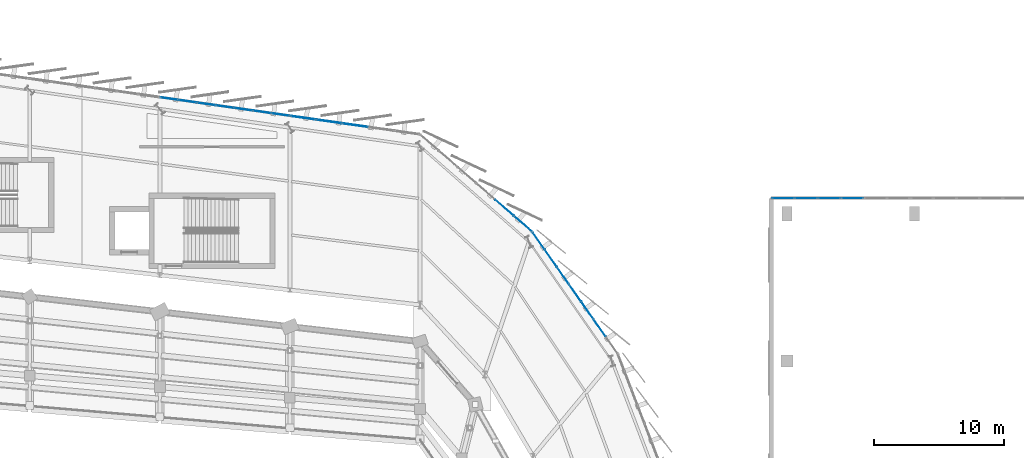
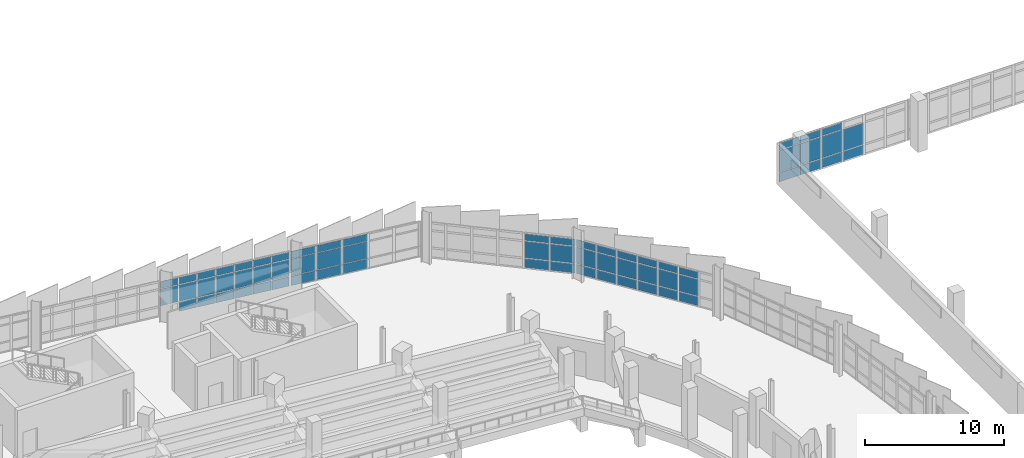
# One storey, part 92 of 120: 64 plates, 5 elements without a shape of their own.
"""IFC4 building model written with IfcOpenShell, lengths in metres."""

from ifc_helpers import new_model, si_unit, direction, frame, origin, origin_2d, place, context, subcontext, project, spatial, rectangle, extrude, material, layer, layer_set, type_object, element, aggregate, save


model = new_model("IFC4")

# Units and contexts
model_context = context("Model", 3, precision=1e-05, world=origin(), true_north=direction((0.0, 1.0)))
body_context = subcontext(model_context, "Body", "Model", "MODEL_VIEW")
ifc_project = project(units=[si_unit("LENGTHUNIT", "METRE"), si_unit("AREAUNIT", "SQUARE_METRE"), si_unit("VOLUMEUNIT", "CUBIC_METRE"), si_unit("PLANEANGLEUNIT", "RADIAN"), si_unit("MASSUNIT", "GRAM", prefix="KILO")], contexts=[model_context])

# Site, building, storey
site_placement = place(None, origin())
site = spatial("IfcSite", under=ifc_project, at=site_placement, CompositionType="ELEMENT")
building_placement = place(site_placement, origin())
building = spatial("IfcBuilding", under=site, at=building_placement, Name="Sohan Crest Arena", CompositionType="ELEMENT")
storey_placement = place(building_placement, frame((0.0, 0.0, 13.5)))
storey = spatial("IfcBuildingStorey", under=building, at=storey_placement, Name="L03", CompositionType="ELEMENT", Elevation=13.5)

# Curtain wall, plates
ifc_material_1 = material(Name="Thermally broken anodised aluminium", Category="aluminium")
ifc_layer_1 = layer(ifc_material_1, 0.18994140625, Name="Thermally broken anodised aluminium")
ifc_layer_set_1 = layer_set([ifc_layer_1], Name="Thermally broken anodised aluminium")
curtain_wall_type_1 = type_object("IfcCurtainWallType", Name="ARC-CW05", PredefinedType="NOTDEFINED", material=ifc_layer_set_1)
curtain_wall_1_placement = place(storey_placement, origin())
curtain_wall_1 = element("IfcCurtainWall", 1, at=curtain_wall_1_placement, inside=storey, type_object=curtain_wall_type_1, Name="Unitised curtain wall CW-106", PredefinedType="NOTDEFINED")
ifc_material_2 = material(Name="Low-E double-glazed insulated glass", Category="glass")
ifc_layer_2 = layer(ifc_material_2, 0.028076171875, Name="Low-E double-glazed insulated glass")
ifc_layer_set_2 = layer_set([ifc_layer_2], Name="Low-E double-glazed insulated glass")
plate_type_1 = type_object("IfcPlateType", Name="ARC-CNP01", PredefinedType="CURTAIN_PANEL", material=ifc_layer_set_2)
plate_1_placement = place(storey_placement, frame((157.270751953125, 118.43310546875, 0.06494140625), z_axis=(0.0, 0.0, 1.0), x_axis=(-0.989957411768, 0.141365918403, 0.0)))
plate_1 = element("IfcPlate", 2, at=plate_1_placement, type_object=plate_type_1, Name="CW-106 panel 1.1", PredefinedType="CURTAIN_PANEL", context=body_context, shape_type="SweptSolid", body=[
    extrude(rectangle(XDim=1.35302734375, YDim=0.028076171875, at=origin_2d()), origin(), (0.0, 0.0, 1.0), 0.802490234375),
])
plate_2_placement = place(storey_placement, frame((157.270751953125, 118.43310546875, 0.932373046875), z_axis=(0.0, 0.0, 1.0), x_axis=(-0.989957411768, 0.141365918403, 0.0)))
plate_2 = element("IfcPlate", 3, at=plate_2_placement, type_object=plate_type_1, Name="CW-106 panel 1.2", PredefinedType="CURTAIN_PANEL", context=body_context, shape_type="SweptSolid", body=[
    extrude(rectangle(XDim=1.35302734375, YDim=0.028076171875, at=origin_2d()), origin(), (0.0, 0.0, 1.0), 1.455078125),
])
plate_3_placement = place(storey_placement, frame((157.270751953125, 118.43310546875, 2.452392578125), z_axis=(0.0, 0.0, 1.0), x_axis=(-0.989957411768, 0.141365918403, 0.0)))
plate_3 = element("IfcPlate", 4, at=plate_3_placement, type_object=plate_type_1, Name="CW-106 panel 1.3", PredefinedType="CURTAIN_PANEL", context=body_context, shape_type="SweptSolid", body=[
    extrude(rectangle(XDim=1.35302734375, YDim=0.028076171875, at=origin_2d()), origin(), (0.0, 0.0, 1.0), 0.6025390625),
])
plate_4_placement = place(storey_placement, frame((155.857177734375, 118.635009765625, 0.06494140625), z_axis=(0.0, 0.0, 1.0), x_axis=(-0.989957411768, 0.141365918403, 0.0)))
plate_4 = element("IfcPlate", 5, at=plate_4_placement, type_object=plate_type_1, Name="CW-106 panel 2.1", PredefinedType="CURTAIN_PANEL", context=body_context, shape_type="SweptSolid", body=[
    extrude(rectangle(XDim=1.383056640625, YDim=0.028076171875, at=origin_2d()), origin(), (0.0, 0.0, 1.0), 0.802490234375),
])
plate_5_placement = place(storey_placement, frame((155.857177734375, 118.635009765625, 0.932373046875), z_axis=(0.0, 0.0, 1.0), x_axis=(-0.989957411768, 0.141365918403, 0.0)))
plate_5 = element("IfcPlate", 6, at=plate_5_placement, type_object=plate_type_1, Name="CW-106 panel 2.2", PredefinedType="CURTAIN_PANEL", context=body_context, shape_type="SweptSolid", body=[
    extrude(rectangle(XDim=1.383056640625, YDim=0.028076171875, at=origin_2d()), origin(), (0.0, 0.0, 1.0), 1.455078125),
])
plate_6_placement = place(storey_placement, frame((155.857177734375, 118.635009765625, 2.452392578125), z_axis=(0.0, 0.0, 1.0), x_axis=(-0.989957411768, 0.141365918403, 0.0)))
plate_6 = element("IfcPlate", 7, at=plate_6_placement, type_object=plate_type_1, Name="CW-106 panel 2.3", PredefinedType="CURTAIN_PANEL", context=body_context, shape_type="SweptSolid", body=[
    extrude(rectangle(XDim=1.383056640625, YDim=0.028076171875, at=origin_2d()), origin(), (0.0, 0.0, 1.0), 0.6025390625),
])
plate_7_placement = place(storey_placement, frame((154.428466796875, 118.839111328125, 0.06494140625), z_axis=(0.0, 0.0, 1.0), x_axis=(-0.989957411768, 0.141365918403, 0.0)))
plate_7 = element("IfcPlate", 8, at=plate_7_placement, type_object=plate_type_1, Name="CW-106 panel 3.1", PredefinedType="CURTAIN_PANEL", context=body_context, shape_type="SweptSolid", body=[
    extrude(rectangle(XDim=1.383056640625, YDim=0.028076171875, at=origin_2d()), origin(), (0.0, 0.0, 1.0), 0.802490234375),
])
plate_8_placement = place(storey_placement, frame((154.428466796875, 118.839111328125, 0.932373046875), z_axis=(0.0, 0.0, 1.0), x_axis=(-0.989957411768, 0.141365918403, 0.0)))
plate_8 = element("IfcPlate", 9, at=plate_8_placement, type_object=plate_type_1, Name="CW-106 panel 3.2", PredefinedType="CURTAIN_PANEL", context=body_context, shape_type="SweptSolid", body=[
    extrude(rectangle(XDim=1.383056640625, YDim=0.028076171875, at=origin_2d()), origin(), (0.0, 0.0, 1.0), 1.455078125),
])
plate_9_placement = place(storey_placement, frame((154.428466796875, 118.839111328125, 2.452392578125), z_axis=(0.0, 0.0, 1.0), x_axis=(-0.989957411768, 0.141365918403, 0.0)))
plate_9 = element("IfcPlate", 10, at=plate_9_placement, type_object=plate_type_1, Name="CW-106 panel 3.3", PredefinedType="CURTAIN_PANEL", context=body_context, shape_type="SweptSolid", body=[
    extrude(rectangle(XDim=1.383056640625, YDim=0.028076171875, at=origin_2d()), origin(), (0.0, 0.0, 1.0), 0.6025390625),
])
plate_10_placement = place(storey_placement, frame((153.0, 119.04296875, 0.06494140625), z_axis=(0.0, 0.0, 1.0), x_axis=(-0.989957411768, 0.141365918403, 0.0)))
plate_10 = element("IfcPlate", 11, at=plate_10_placement, type_object=plate_type_1, Name="CW-106 panel 4.1", PredefinedType="CURTAIN_PANEL", context=body_context, shape_type="SweptSolid", body=[
    extrude(rectangle(XDim=1.383056640625, YDim=0.028076171875, at=origin_2d()), origin(), (0.0, 0.0, 1.0), 0.802490234375),
])
plate_11_placement = place(storey_placement, frame((153.0, 119.04296875, 0.932373046875), z_axis=(0.0, 0.0, 1.0), x_axis=(-0.989957411768, 0.141365918403, 0.0)))
plate_11 = element("IfcPlate", 12, at=plate_11_placement, type_object=plate_type_1, Name="CW-106 panel 4.2", PredefinedType="CURTAIN_PANEL", context=body_context, shape_type="SweptSolid", body=[
    extrude(rectangle(XDim=1.383056640625, YDim=0.028076171875, at=origin_2d()), origin(), (0.0, 0.0, 1.0), 1.455078125),
])
plate_12_placement = place(storey_placement, frame((153.0, 119.04296875, 2.452392578125), z_axis=(0.0, 0.0, 1.0), x_axis=(-0.989957411768, 0.141365918403, 0.0)))
plate_12 = element("IfcPlate", 13, at=plate_12_placement, type_object=plate_type_1, Name="CW-106 panel 4.3", PredefinedType="CURTAIN_PANEL", context=body_context, shape_type="SweptSolid", body=[
    extrude(rectangle(XDim=1.383056640625, YDim=0.028076171875, at=origin_2d()), origin(), (0.0, 0.0, 1.0), 0.6025390625),
])
plate_13_placement = place(storey_placement, frame((151.571533203125, 119.2470703125, 0.06494140625), z_axis=(0.0, 0.0, 1.0), x_axis=(-0.989957411768, 0.141365918403, 0.0)))
plate_13 = element("IfcPlate", 14, at=plate_13_placement, type_object=plate_type_1, Name="CW-106 panel 5.1", PredefinedType="CURTAIN_PANEL", context=body_context, shape_type="SweptSolid", body=[
    extrude(rectangle(XDim=1.383056640625, YDim=0.028076171875, at=origin_2d()), origin(), (0.0, 0.0, 1.0), 0.802490234375),
])
plate_14_placement = place(storey_placement, frame((151.571533203125, 119.2470703125, 0.932373046875), z_axis=(0.0, 0.0, 1.0), x_axis=(-0.989957411768, 0.141365918403, 0.0)))
plate_14 = element("IfcPlate", 15, at=plate_14_placement, type_object=plate_type_1, Name="CW-106 panel 5.2", PredefinedType="CURTAIN_PANEL", context=body_context, shape_type="SweptSolid", body=[
    extrude(rectangle(XDim=1.383056640625, YDim=0.028076171875, at=origin_2d()), origin(), (0.0, 0.0, 1.0), 1.455078125),
])
plate_15_placement = place(storey_placement, frame((151.571533203125, 119.2470703125, 2.452392578125), z_axis=(0.0, 0.0, 1.0), x_axis=(-0.989957411768, 0.141365918403, 0.0)))
plate_15 = element("IfcPlate", 16, at=plate_15_placement, type_object=plate_type_1, Name="CW-106 panel 5.3", PredefinedType="CURTAIN_PANEL", context=body_context, shape_type="SweptSolid", body=[
    extrude(rectangle(XDim=1.383056640625, YDim=0.028076171875, at=origin_2d()), origin(), (0.0, 0.0, 1.0), 0.6025390625),
])
plate_16_placement = place(storey_placement, frame((150.142822265625, 119.450927734375, 0.06494140625), z_axis=(0.0, 0.0, 1.0), x_axis=(-0.989957411768, 0.141365918403, 0.0)))
plate_16 = element("IfcPlate", 17, at=plate_16_placement, type_object=plate_type_1, Name="CW-106 panel 6.1", PredefinedType="CURTAIN_PANEL", context=body_context, shape_type="SweptSolid", body=[
    extrude(rectangle(XDim=1.383056640625, YDim=0.028076171875, at=origin_2d()), origin(), (0.0, 0.0, 1.0), 0.802490234375),
])
plate_17_placement = place(storey_placement, frame((150.142822265625, 119.450927734375, 0.932373046875), z_axis=(0.0, 0.0, 1.0), x_axis=(-0.989957411768, 0.141365918403, 0.0)))
plate_17 = element("IfcPlate", 18, at=plate_17_placement, type_object=plate_type_1, Name="CW-106 panel 6.2", PredefinedType="CURTAIN_PANEL", context=body_context, shape_type="SweptSolid", body=[
    extrude(rectangle(XDim=1.383056640625, YDim=0.028076171875, at=origin_2d()), origin(), (0.0, 0.0, 1.0), 1.455078125),
])
plate_18_placement = place(storey_placement, frame((150.142822265625, 119.450927734375, 2.452392578125), z_axis=(0.0, 0.0, 1.0), x_axis=(-0.989957411768, 0.141365918403, 0.0)))
plate_18 = element("IfcPlate", 19, at=plate_18_placement, type_object=plate_type_1, Name="CW-106 panel 6.3", PredefinedType="CURTAIN_PANEL", context=body_context, shape_type="SweptSolid", body=[
    extrude(rectangle(XDim=1.383056640625, YDim=0.028076171875, at=origin_2d()), origin(), (0.0, 0.0, 1.0), 0.6025390625),
])
plate_19_placement = place(storey_placement, frame((148.729248046875, 119.65283203125, 0.932373046875), z_axis=(0.0, 0.0, 1.0), x_axis=(-0.989957411768, 0.141365918403, 0.0)))
plate_19 = element("IfcPlate", 20, at=plate_19_placement, type_object=plate_type_1, Name="CW-106 panel 7.2", PredefinedType="CURTAIN_PANEL", context=body_context, shape_type="SweptSolid", body=[
    extrude(rectangle(XDim=1.35302734375, YDim=0.028076171875, at=origin_2d()), origin(), (0.0, 0.0, 1.0), 1.455078125),
])
plate_20_placement = place(storey_placement, frame((148.729248046875, 119.65283203125, 2.452392578125), z_axis=(0.0, 0.0, 1.0), x_axis=(-0.989957411768, 0.141365918403, 0.0)))
plate_20 = element("IfcPlate", 21, at=plate_20_placement, type_object=plate_type_1, Name="CW-106 panel 7.3", PredefinedType="CURTAIN_PANEL", context=body_context, shape_type="SweptSolid", body=[
    extrude(rectangle(XDim=1.35302734375, YDim=0.028076171875, at=origin_2d()), origin(), (0.0, 0.0, 1.0), 0.6025390625),
])
aggregate(curtain_wall_1, [plate_1, plate_2, plate_3, plate_4, plate_5, plate_6, plate_7, plate_8, plate_9, plate_10, plate_11, plate_12, plate_13, plate_14, plate_15, plate_16, plate_17, plate_18, plate_19, plate_20])

ifc_layer_3 = layer(ifc_material_1, 0.199951171875, Name="Thermally broken anodised aluminium")
ifc_layer_set_3 = layer_set([ifc_layer_3], Name="Thermally broken anodised aluminium")
curtain_wall_type_2 = type_object("IfcCurtainWallType", Name="ARC-CW02", PredefinedType="NOTDEFINED", material=ifc_layer_set_3)
curtain_wall_2_placement = place(storey_placement, origin())
curtain_wall_2 = element("IfcCurtainWall", 22, at=curtain_wall_2_placement, inside=storey, type_object=curtain_wall_type_2, Name="Unitised curtain wall CW-103", PredefinedType="NOTDEFINED")
ifc_layer_4 = layer(ifc_material_2, 0.031982421875, Name="Low-E double-glazed insulated glass")
ifc_layer_set_4 = layer_set([ifc_layer_4], Name="Low-E double-glazed insulated glass")
plate_type_2 = type_object("IfcPlateType", Name="ARC-CNP02", PredefinedType="CURTAIN_PANEL", material=ifc_layer_set_4)
plate_21_placement = place(storey_placement, frame((181.796142578125, 102.040283203125, 0.06494140625), z_axis=(0.0, 0.0, 1.0), x_axis=(-0.573937504976, 0.818899102687, 0.0)))
plate_21 = element("IfcPlate", 23, at=plate_21_placement, type_object=plate_type_2, Name="CW-103 panel 2.1", PredefinedType="CURTAIN_PANEL", context=body_context, shape_type="SweptSolid", body=[
    extrude(rectangle(XDim=1.569091796875, YDim=0.031982421875, at=origin_2d()), origin(), (0.0, 0.0, 1.0), 0.802490234375),
])
plate_22_placement = place(storey_placement, frame((181.796142578125, 102.040283203125, 0.932373046875), z_axis=(0.0, 0.0, 1.0), x_axis=(-0.573937504976, 0.818899102687, 0.0)))
plate_22 = element("IfcPlate", 24, at=plate_22_placement, type_object=plate_type_2, Name="CW-103 panel 2.2", PredefinedType="CURTAIN_PANEL", context=body_context, shape_type="SweptSolid", body=[
    extrude(rectangle(XDim=1.569091796875, YDim=0.031982421875, at=origin_2d()), origin(), (0.0, 0.0, 1.0), 1.455078125),
])
plate_23_placement = place(storey_placement, frame((181.796142578125, 102.040283203125, 2.452392578125), z_axis=(0.0, 0.0, 1.0), x_axis=(-0.573937504976, 0.818899102687, 0.0)))
plate_23 = element("IfcPlate", 25, at=plate_23_placement, type_object=plate_type_2, Name="CW-103 panel 2.3", PredefinedType="CURTAIN_PANEL", context=body_context, shape_type="SweptSolid", body=[
    extrude(rectangle(XDim=1.569091796875, YDim=0.031982421875, at=origin_2d()), origin(), (0.0, 0.0, 1.0), 0.6025390625),
])
plate_24_placement = place(storey_placement, frame((180.8583984375, 103.37841796875, 0.06494140625), z_axis=(0.0, 0.0, 1.0), x_axis=(-0.573937504976, 0.818899102687, 0.0)))
plate_24 = element("IfcPlate", 26, at=plate_24_placement, type_object=plate_type_2, Name="CW-103 panel 3.1", PredefinedType="CURTAIN_PANEL", context=body_context, shape_type="SweptSolid", body=[
    extrude(rectangle(XDim=1.569091796875, YDim=0.031982421875, at=origin_2d()), origin(), (0.0, 0.0, 1.0), 0.802490234375),
])
plate_25_placement = place(storey_placement, frame((180.8583984375, 103.37841796875, 0.932373046875), z_axis=(0.0, 0.0, 1.0), x_axis=(-0.573937504976, 0.818899102687, 0.0)))
plate_25 = element("IfcPlate", 27, at=plate_25_placement, type_object=plate_type_2, Name="CW-103 panel 3.2", PredefinedType="CURTAIN_PANEL", context=body_context, shape_type="SweptSolid", body=[
    extrude(rectangle(XDim=1.569091796875, YDim=0.031982421875, at=origin_2d()), origin(), (0.0, 0.0, 1.0), 1.455078125),
])
plate_26_placement = place(storey_placement, frame((180.8583984375, 103.37841796875, 2.452392578125), z_axis=(0.0, 0.0, 1.0), x_axis=(-0.573937504976, 0.818899102687, 0.0)))
plate_26 = element("IfcPlate", 28, at=plate_26_placement, type_object=plate_type_2, Name="CW-103 panel 3.3", PredefinedType="CURTAIN_PANEL", context=body_context, shape_type="SweptSolid", body=[
    extrude(rectangle(XDim=1.569091796875, YDim=0.031982421875, at=origin_2d()), origin(), (0.0, 0.0, 1.0), 0.6025390625),
])
plate_27_placement = place(storey_placement, frame((179.92041015625, 104.716552734375, 0.06494140625), z_axis=(0.0, 0.0, 1.0), x_axis=(-0.573937504976, 0.818899102687, 0.0)))
plate_27 = element("IfcPlate", 29, at=plate_27_placement, type_object=plate_type_2, Name="CW-103 panel 4.1", PredefinedType="CURTAIN_PANEL", context=body_context, shape_type="SweptSolid", body=[
    extrude(rectangle(XDim=1.569091796875, YDim=0.031982421875, at=origin_2d()), origin(), (0.0, 0.0, 1.0), 0.802490234375),
])
plate_28_placement = place(storey_placement, frame((179.92041015625, 104.716552734375, 0.932373046875), z_axis=(0.0, 0.0, 1.0), x_axis=(-0.573937504976, 0.818899102687, 0.0)))
plate_28 = element("IfcPlate", 30, at=plate_28_placement, type_object=plate_type_2, Name="CW-103 panel 4.2", PredefinedType="CURTAIN_PANEL", context=body_context, shape_type="SweptSolid", body=[
    extrude(rectangle(XDim=1.569091796875, YDim=0.031982421875, at=origin_2d()), origin(), (0.0, 0.0, 1.0), 1.455078125),
])
plate_29_placement = place(storey_placement, frame((179.92041015625, 104.716552734375, 2.452392578125), z_axis=(0.0, 0.0, 1.0), x_axis=(-0.573937504976, 0.818899102687, 0.0)))
plate_29 = element("IfcPlate", 31, at=plate_29_placement, type_object=plate_type_2, Name="CW-103 panel 4.3", PredefinedType="CURTAIN_PANEL", context=body_context, shape_type="SweptSolid", body=[
    extrude(rectangle(XDim=1.569091796875, YDim=0.031982421875, at=origin_2d()), origin(), (0.0, 0.0, 1.0), 0.6025390625),
])
plate_30_placement = place(storey_placement, frame((178.982666015625, 106.0546875, 0.06494140625), z_axis=(0.0, 0.0, 1.0), x_axis=(-0.573937504976, 0.818899102687, 0.0)))
plate_30 = element("IfcPlate", 32, at=plate_30_placement, type_object=plate_type_2, Name="CW-103 panel 5.1", PredefinedType="CURTAIN_PANEL", context=body_context, shape_type="SweptSolid", body=[
    extrude(rectangle(XDim=1.569091796875, YDim=0.031982421875, at=origin_2d()), origin(), (0.0, 0.0, 1.0), 0.802490234375),
])
plate_31_placement = place(storey_placement, frame((178.982666015625, 106.0546875, 0.932373046875), z_axis=(0.0, 0.0, 1.0), x_axis=(-0.573937504976, 0.818899102687, 0.0)))
plate_31 = element("IfcPlate", 33, at=plate_31_placement, type_object=plate_type_2, Name="CW-103 panel 5.2", PredefinedType="CURTAIN_PANEL", context=body_context, shape_type="SweptSolid", body=[
    extrude(rectangle(XDim=1.569091796875, YDim=0.031982421875, at=origin_2d()), origin(), (0.0, 0.0, 1.0), 1.455078125),
])
plate_32_placement = place(storey_placement, frame((178.982666015625, 106.0546875, 2.452392578125), z_axis=(0.0, 0.0, 1.0), x_axis=(-0.573937504976, 0.818899102687, 0.0)))
plate_32 = element("IfcPlate", 34, at=plate_32_placement, type_object=plate_type_2, Name="CW-103 panel 5.3", PredefinedType="CURTAIN_PANEL", context=body_context, shape_type="SweptSolid", body=[
    extrude(rectangle(XDim=1.569091796875, YDim=0.031982421875, at=origin_2d()), origin(), (0.0, 0.0, 1.0), 0.6025390625),
])
plate_33_placement = place(storey_placement, frame((178.044677734375, 107.392822265625, 0.06494140625), z_axis=(0.0, 0.0, 1.0), x_axis=(-0.573937504976, 0.818899102687, 0.0)))
plate_33 = element("IfcPlate", 35, at=plate_33_placement, type_object=plate_type_2, Name="CW-103 panel 6.1", PredefinedType="CURTAIN_PANEL", context=body_context, shape_type="SweptSolid", body=[
    extrude(rectangle(XDim=1.569091796875, YDim=0.031982421875, at=origin_2d()), origin(), (0.0, 0.0, 1.0), 0.802490234375),
])
plate_34_placement = place(storey_placement, frame((178.044677734375, 107.392822265625, 0.932373046875), z_axis=(0.0, 0.0, 1.0), x_axis=(-0.573937504976, 0.818899102687, 0.0)))
plate_34 = element("IfcPlate", 36, at=plate_34_placement, type_object=plate_type_2, Name="CW-103 panel 6.2", PredefinedType="CURTAIN_PANEL", context=body_context, shape_type="SweptSolid", body=[
    extrude(rectangle(XDim=1.569091796875, YDim=0.031982421875, at=origin_2d()), origin(), (0.0, 0.0, 1.0), 1.455078125),
])
plate_35_placement = place(storey_placement, frame((178.044677734375, 107.392822265625, 2.452392578125), z_axis=(0.0, 0.0, 1.0), x_axis=(-0.573937504976, 0.818899102687, 0.0)))
plate_35 = element("IfcPlate", 37, at=plate_35_placement, type_object=plate_type_2, Name="CW-103 panel 6.3", PredefinedType="CURTAIN_PANEL", context=body_context, shape_type="SweptSolid", body=[
    extrude(rectangle(XDim=1.569091796875, YDim=0.031982421875, at=origin_2d()), origin(), (0.0, 0.0, 1.0), 0.6025390625),
])
plate_36_placement = place(storey_placement, frame((177.1162109375, 108.717529296875, 0.06494140625), z_axis=(0.0, 0.0, 1.0), x_axis=(-0.573937504976, 0.818899102687, 0.0)))
plate_36 = element("IfcPlate", 38, at=plate_36_placement, type_object=plate_type_2, Name="CW-103 panel 7.1", PredefinedType="CURTAIN_PANEL", context=body_context, shape_type="SweptSolid", body=[
    extrude(rectangle(XDim=1.53662109375, YDim=0.031982421875, at=origin_2d()), origin(), (0.0, 0.0, 1.0), 0.802490234375),
])
plate_37_placement = place(storey_placement, frame((177.1162109375, 108.717529296875, 0.932373046875), z_axis=(0.0, 0.0, 1.0), x_axis=(-0.573937504976, 0.818899102687, 0.0)))
plate_37 = element("IfcPlate", 39, at=plate_37_placement, type_object=plate_type_2, Name="CW-103 panel 7.2", PredefinedType="CURTAIN_PANEL", context=body_context, shape_type="SweptSolid", body=[
    extrude(rectangle(XDim=1.53662109375, YDim=0.031982421875, at=origin_2d()), origin(), (0.0, 0.0, 1.0), 1.455078125),
])
plate_38_placement = place(storey_placement, frame((177.1162109375, 108.717529296875, 2.452392578125), z_axis=(0.0, 0.0, 1.0), x_axis=(-0.573937504976, 0.818899102687, 0.0)))
plate_38 = element("IfcPlate", 40, at=plate_38_placement, type_object=plate_type_2, Name="CW-103 panel 7.3", PredefinedType="CURTAIN_PANEL", context=body_context, shape_type="SweptSolid", body=[
    extrude(rectangle(XDim=1.53662109375, YDim=0.031982421875, at=origin_2d()), origin(), (0.0, 0.0, 1.0), 0.6025390625),
])
aggregate(curtain_wall_2, [plate_21, plate_22, plate_23, plate_24, plate_25, plate_26, plate_27, plate_28, plate_29, plate_30, plate_31, plate_32, plate_33, plate_34, plate_35, plate_36, plate_37, plate_38])

ifc_layer_5 = layer(ifc_material_1, 0.219970703125, Name="Thermally broken anodised aluminium")
ifc_layer_set_5 = layer_set([ifc_layer_5], Name="Thermally broken anodised aluminium")
curtain_wall_type_3 = type_object("IfcCurtainWallType", Name="ARC-CW03", PredefinedType="NOTDEFINED", material=ifc_layer_set_5)
curtain_wall_3_placement = place(storey_placement, origin())
curtain_wall_3 = element("IfcCurtainWall", 41, at=curtain_wall_3_placement, inside=storey, type_object=curtain_wall_type_3, Name="Unitised curtain wall CW-104", PredefinedType="NOTDEFINED")
ifc_material_3 = material(Name="Ceramic-fritted solar-control insulated glass", Category="glass")
ifc_layer_6 = layer(ifc_material_3, 0.035888671875, Name="Ceramic-fritted solar-control insulated glass")
ifc_layer_set_6 = layer_set([ifc_layer_6], Name="Ceramic-fritted solar-control insulated glass")
plate_type_3 = type_object("IfcPlateType", Name="ARC-CNP03", PredefinedType="CURTAIN_PANEL", material=ifc_layer_set_6)
plate_39_placement = place(storey_placement, frame((175.905029296875, 110.036376953125, 0.070068359375), z_axis=(0.0, 0.0, 1.0), x_axis=(-0.755094613026, 0.655615836736, 0.0)))
plate_39 = element("IfcPlate", 42, at=plate_39_placement, type_object=plate_type_3, Name="CW-104 panel 1.1", PredefinedType="CURTAIN_PANEL", context=body_context, shape_type="SweptSolid", body=[
    extrude(rectangle(XDim=1.801513671875, YDim=0.035888671875, at=origin_2d()), origin(), (0.0, 0.0, 1.0), 0.794921875),
])
plate_40_placement = place(storey_placement, frame((175.905029296875, 110.036376953125, 0.93505859375), z_axis=(0.0, 0.0, 1.0), x_axis=(-0.755094613026, 0.655615836736, 0.0)))
plate_40 = element("IfcPlate", 43, at=plate_40_placement, type_object=plate_type_3, Name="CW-104 panel 1.2", PredefinedType="CURTAIN_PANEL", context=body_context, shape_type="SweptSolid", body=[
    extrude(rectangle(XDim=1.801513671875, YDim=0.035888671875, at=origin_2d()), origin(), (0.0, 0.0, 1.0), 1.449951171875),
])
plate_41_placement = place(storey_placement, frame((175.905029296875, 110.036376953125, 2.455078125), z_axis=(0.0, 0.0, 1.0), x_axis=(-0.755094613026, 0.655615836736, 0.0)))
plate_41 = element("IfcPlate", 44, at=plate_41_placement, type_object=plate_type_3, Name="CW-104 panel 1.3", PredefinedType="CURTAIN_PANEL", context=body_context, shape_type="SweptSolid", body=[
    extrude(rectangle(XDim=1.801513671875, YDim=0.035888671875, at=origin_2d()), origin(), (0.0, 0.0, 1.0), 0.594970703125),
])
plate_42_placement = place(storey_placement, frame((174.478515625, 111.27490234375, 0.070068359375), z_axis=(0.0, 0.0, 1.0), x_axis=(-0.755094613026, 0.655615836736, 0.0)))
plate_42 = element("IfcPlate", 45, at=plate_42_placement, type_object=plate_type_3, Name="CW-104 panel 2.1", PredefinedType="CURTAIN_PANEL", context=body_context, shape_type="SweptSolid", body=[
    extrude(rectangle(XDim=1.836669921875, YDim=0.035888671875, at=origin_2d()), origin(), (0.0, 0.0, 1.0), 0.794921875),
])
plate_43_placement = place(storey_placement, frame((174.478515625, 111.27490234375, 0.93505859375), z_axis=(0.0, 0.0, 1.0), x_axis=(-0.755094613026, 0.655615836736, 0.0)))
plate_43 = element("IfcPlate", 46, at=plate_43_placement, type_object=plate_type_3, Name="CW-104 panel 2.2", PredefinedType="CURTAIN_PANEL", context=body_context, shape_type="SweptSolid", body=[
    extrude(rectangle(XDim=1.836669921875, YDim=0.035888671875, at=origin_2d()), origin(), (0.0, 0.0, 1.0), 1.449951171875),
])
plate_44_placement = place(storey_placement, frame((174.478515625, 111.27490234375, 2.455078125), z_axis=(0.0, 0.0, 1.0), x_axis=(-0.755094613026, 0.655615836736, 0.0)))
plate_44 = element("IfcPlate", 47, at=plate_44_placement, type_object=plate_type_3, Name="CW-104 panel 2.3", PredefinedType="CURTAIN_PANEL", context=body_context, shape_type="SweptSolid", body=[
    extrude(rectangle(XDim=1.836669921875, YDim=0.035888671875, at=origin_2d()), origin(), (0.0, 0.0, 1.0), 0.594970703125),
])
aggregate(curtain_wall_3, [plate_39, plate_40, plate_41, plate_42, plate_43, plate_44])

ifc_layer_7 = layer(ifc_material_1, 0.2099609375, Name="Thermally broken anodised aluminium")
ifc_layer_set_7 = layer_set([ifc_layer_7], Name="Thermally broken anodised aluminium")
curtain_wall_type_4 = type_object("IfcCurtainWallType", Name="ARC-CW06", PredefinedType="NOTDEFINED", material=ifc_layer_set_7)
curtain_wall_4_placement = place(storey_placement, origin())
curtain_wall_4 = element("IfcCurtainWall", 48, at=curtain_wall_4_placement, inside=storey, type_object=curtain_wall_type_4, Name="Unitised curtain wall CW-222", PredefinedType="NOTDEFINED")
plate_45_placement = place(storey_placement, frame((201.222412109375, 112.0, 0.070068359375), z_axis=(0.0, 0.0, 1.0), x_axis=(-1.0, 0.0, 0.0)))
plate_45 = element("IfcPlate", 49, at=plate_45_placement, type_object=plate_type_3, Name="CW-222 panel 3.1", PredefinedType="CURTAIN_PANEL", context=body_context, shape_type="SweptSolid", body=[
    extrude(rectangle(XDim=1.702880859375, YDim=0.035888671875, at=origin_2d()), origin(), (0.0, 0.0, 1.0), 0.794921875),
])
plate_46_placement = place(storey_placement, frame((201.222412109375, 112.0, 0.93505859375), z_axis=(0.0, 0.0, 1.0), x_axis=(-1.0, 0.0, 0.0)))
plate_46 = element("IfcPlate", 50, at=plate_46_placement, type_object=plate_type_3, Name="CW-222 panel 3.2", PredefinedType="CURTAIN_PANEL", context=body_context, shape_type="SweptSolid", body=[
    extrude(rectangle(XDim=1.702880859375, YDim=0.035888671875, at=origin_2d()), origin(), (0.0, 0.0, 1.0), 1.8798828125),
])
plate_47_placement = place(storey_placement, frame((199.444580078125, 112.0, 0.070068359375), z_axis=(0.0, 0.0, 1.0), x_axis=(-1.0, 0.0, 0.0)))
plate_47 = element("IfcPlate", 51, at=plate_47_placement, type_object=plate_type_3, Name="CW-222 panel 4.1", PredefinedType="CURTAIN_PANEL", context=body_context, shape_type="SweptSolid", body=[
    extrude(rectangle(XDim=1.702880859375, YDim=0.035888671875, at=origin_2d()), origin(), (0.0, 0.0, 1.0), 0.794921875),
])
plate_48_placement = place(storey_placement, frame((199.444580078125, 112.0, 0.93505859375), z_axis=(0.0, 0.0, 1.0), x_axis=(-1.0, 0.0, 0.0)))
plate_48 = element("IfcPlate", 52, at=plate_48_placement, type_object=plate_type_3, Name="CW-222 panel 4.2", PredefinedType="CURTAIN_PANEL", context=body_context, shape_type="SweptSolid", body=[
    extrude(rectangle(XDim=1.702880859375, YDim=0.035888671875, at=origin_2d()), origin(), (0.0, 0.0, 1.0), 1.8798828125),
])
plate_49_placement = place(storey_placement, frame((199.444580078125, 112.0, 2.88525390625), z_axis=(0.0, 0.0, 1.0), x_axis=(-1.0, 0.0, 0.0)))
plate_49 = element("IfcPlate", 53, at=plate_49_placement, type_object=plate_type_3, Name="CW-222 panel 4.3", PredefinedType="CURTAIN_PANEL", context=body_context, shape_type="SweptSolid", body=[
    extrude(rectangle(XDim=1.702880859375, YDim=0.035888671875, at=origin_2d()), origin(), (0.0, 0.0, 1.0), 0.594970703125),
])
plate_50_placement = place(storey_placement, frame((197.666748046875, 112.0, 0.070068359375), z_axis=(0.0, 0.0, 1.0), x_axis=(-1.0, 0.0, 0.0)))
plate_50 = element("IfcPlate", 54, at=plate_50_placement, type_object=plate_type_3, Name="CW-222 panel 5.1", PredefinedType="CURTAIN_PANEL", context=body_context, shape_type="SweptSolid", body=[
    extrude(rectangle(XDim=1.702880859375, YDim=0.035888671875, at=origin_2d()), origin(), (0.0, 0.0, 1.0), 0.794921875),
])
plate_51_placement = place(storey_placement, frame((197.666748046875, 112.0, 0.93505859375), z_axis=(0.0, 0.0, 1.0), x_axis=(-1.0, 0.0, 0.0)))
plate_51 = element("IfcPlate", 55, at=plate_51_placement, type_object=plate_type_3, Name="CW-222 panel 5.2", PredefinedType="CURTAIN_PANEL", context=body_context, shape_type="SweptSolid", body=[
    extrude(rectangle(XDim=1.702880859375, YDim=0.035888671875, at=origin_2d()), origin(), (0.0, 0.0, 1.0), 1.8798828125),
])
plate_52_placement = place(storey_placement, frame((197.666748046875, 112.0, 2.88525390625), z_axis=(0.0, 0.0, 1.0), x_axis=(-1.0, 0.0, 0.0)))
plate_52 = element("IfcPlate", 56, at=plate_52_placement, type_object=plate_type_3, Name="CW-222 panel 5.3", PredefinedType="CURTAIN_PANEL", context=body_context, shape_type="SweptSolid", body=[
    extrude(rectangle(XDim=1.702880859375, YDim=0.035888671875, at=origin_2d()), origin(), (0.0, 0.0, 1.0), 0.594970703125),
])
plate_53_placement = place(storey_placement, frame((195.90771484375, 112.0, 0.070068359375), z_axis=(0.0, 0.0, 1.0), x_axis=(-1.0, 0.0, 0.0)))
plate_53 = element("IfcPlate", 57, at=plate_53_placement, type_object=plate_type_3, Name="CW-222 panel 6.1", PredefinedType="CURTAIN_PANEL", context=body_context, shape_type="SweptSolid", body=[
    extrude(rectangle(XDim=1.665283203125, YDim=0.035888671875, at=origin_2d()), origin(), (0.0, 0.0, 1.0), 0.794921875),
])
plate_54_placement = place(storey_placement, frame((195.90771484375, 112.0, 0.93505859375), z_axis=(0.0, 0.0, 1.0), x_axis=(-1.0, 0.0, 0.0)))
plate_54 = element("IfcPlate", 58, at=plate_54_placement, type_object=plate_type_3, Name="CW-222 panel 6.2", PredefinedType="CURTAIN_PANEL", context=body_context, shape_type="SweptSolid", body=[
    extrude(rectangle(XDim=1.665283203125, YDim=0.035888671875, at=origin_2d()), origin(), (0.0, 0.0, 1.0), 1.8798828125),
])
plate_55_placement = place(storey_placement, frame((195.90771484375, 112.0, 2.88525390625), z_axis=(0.0, 0.0, 1.0), x_axis=(-1.0, 0.0, 0.0)))
plate_55 = element("IfcPlate", 59, at=plate_55_placement, type_object=plate_type_3, Name="CW-222 panel 6.3", PredefinedType="CURTAIN_PANEL", context=body_context, shape_type="SweptSolid", body=[
    extrude(rectangle(XDim=1.665283203125, YDim=0.035888671875, at=origin_2d()), origin(), (0.0, 0.0, 1.0), 0.594970703125),
])
aggregate(curtain_wall_4, [plate_45, plate_46, plate_47, plate_48, plate_49, plate_50, plate_51, plate_52, plate_53, plate_54, plate_55])

ifc_layer_8 = layer(ifc_material_1, 0.239990234375, Name="Thermally broken anodised aluminium")
ifc_layer_set_8 = layer_set([ifc_layer_8], Name="Thermally broken anodised aluminium")
curtain_wall_type_5 = type_object("IfcCurtainWallType", Name="ARC-CW04", PredefinedType="NOTDEFINED", material=ifc_layer_set_8)
curtain_wall_5_placement = place(storey_placement, origin())
curtain_wall_5 = element("IfcCurtainWall", 60, at=curtain_wall_5_placement, inside=storey, type_object=curtain_wall_type_5, Name="Unitised curtain wall CW-105", PredefinedType="NOTDEFINED")
ifc_material_4 = material(Name="Insulated polychrome ceramic spandrel panel", Category="masonry")
ifc_layer_9 = layer(ifc_material_4, 0.0419921875, Name="Insulated polychrome ceramic spandrel panel")
ifc_layer_set_9 = layer_set([ifc_layer_9], Name="Insulated polychrome ceramic spandrel panel")
plate_type_4 = type_object("IfcPlateType", Name="ARC-CNP04", PredefinedType="CURTAIN_PANEL", material=ifc_layer_set_9)
plate_56_placement = place(storey_placement, frame((163.0, 117.614501953125, 0.06005859375), z_axis=(0.0, 0.0, 1.0), x_axis=(-0.989943553128, 0.141462933734, 0.0)))
plate_56 = element("IfcPlate", 61, at=plate_56_placement, type_object=plate_type_4, Name="CW-105 panel 3.1", PredefinedType="CURTAIN_PANEL", context=body_context, shape_type="SweptSolid", body=[
    extrude(rectangle(XDim=1.9453125, YDim=0.0419921875, at=origin_2d()), origin(), (0.0, 0.0, 1.0), 0.81005859375),
])
plate_57_placement = place(storey_placement, frame((163.0, 117.614501953125, 0.929931640625), z_axis=(0.0, 0.0, 1.0), x_axis=(-0.989943553128, 0.141462933734, 0.0)))
plate_57 = element("IfcPlate", 62, at=plate_57_placement, type_object=plate_type_4, Name="CW-105 panel 3.2", PredefinedType="CURTAIN_PANEL", context=body_context, shape_type="SweptSolid", body=[
    extrude(rectangle(XDim=1.9453125, YDim=0.0419921875, at=origin_2d()), origin(), (0.0, 0.0, 1.0), 1.4599609375),
])
plate_58_placement = place(storey_placement, frame((163.0, 117.614501953125, 2.44970703125), z_axis=(0.0, 0.0, 1.0), x_axis=(-0.989943553128, 0.141462933734, 0.0)))
plate_58 = element("IfcPlate", 63, at=plate_58_placement, type_object=plate_type_4, Name="CW-105 panel 3.3", PredefinedType="CURTAIN_PANEL", context=body_context, shape_type="SweptSolid", body=[
    extrude(rectangle(XDim=1.9453125, YDim=0.0419921875, at=origin_2d()), origin(), (0.0, 0.0, 1.0), 0.610107421875),
])
plate_59_placement = place(storey_placement, frame((161.0, 117.900390625, 0.06005859375), z_axis=(0.0, 0.0, 1.0), x_axis=(-0.989943553128, 0.141462933734, 0.0)))
plate_59 = element("IfcPlate", 64, at=plate_59_placement, type_object=plate_type_4, Name="CW-105 panel 4.1", PredefinedType="CURTAIN_PANEL", context=body_context, shape_type="SweptSolid", body=[
    extrude(rectangle(XDim=1.9453125, YDim=0.0419921875, at=origin_2d()), origin(), (0.0, 0.0, 1.0), 0.81005859375),
])
plate_60_placement = place(storey_placement, frame((161.0, 117.900390625, 0.929931640625), z_axis=(0.0, 0.0, 1.0), x_axis=(-0.989943553128, 0.141462933734, 0.0)))
plate_60 = element("IfcPlate", 65, at=plate_60_placement, type_object=plate_type_4, Name="CW-105 panel 4.2", PredefinedType="CURTAIN_PANEL", context=body_context, shape_type="SweptSolid", body=[
    extrude(rectangle(XDim=1.9453125, YDim=0.0419921875, at=origin_2d()), origin(), (0.0, 0.0, 1.0), 1.4599609375),
])
plate_61_placement = place(storey_placement, frame((161.0, 117.900390625, 2.44970703125), z_axis=(0.0, 0.0, 1.0), x_axis=(-0.989943553128, 0.141462933734, 0.0)))
plate_61 = element("IfcPlate", 66, at=plate_61_placement, type_object=plate_type_4, Name="CW-105 panel 4.3", PredefinedType="CURTAIN_PANEL", context=body_context, shape_type="SweptSolid", body=[
    extrude(rectangle(XDim=1.9453125, YDim=0.0419921875, at=origin_2d()), origin(), (0.0, 0.0, 1.0), 0.610107421875),
])
plate_62_placement = place(storey_placement, frame((159.0185546875, 118.183349609375, 0.06005859375), z_axis=(0.0, 0.0, 1.0), x_axis=(-0.989943553128, 0.141462933734, 0.0)))
plate_62 = element("IfcPlate", 67, at=plate_62_placement, type_object=plate_type_4, Name="CW-105 panel 5.1", PredefinedType="CURTAIN_PANEL", context=body_context, shape_type="SweptSolid", body=[
    extrude(rectangle(XDim=1.90771484375, YDim=0.0419921875, at=origin_2d()), origin(), (0.0, 0.0, 1.0), 0.81005859375),
])
plate_63_placement = place(storey_placement, frame((159.0185546875, 118.183349609375, 0.929931640625), z_axis=(0.0, 0.0, 1.0), x_axis=(-0.989943553128, 0.141462933734, 0.0)))
plate_63 = element("IfcPlate", 68, at=plate_63_placement, type_object=plate_type_4, Name="CW-105 panel 5.2", PredefinedType="CURTAIN_PANEL", context=body_context, shape_type="SweptSolid", body=[
    extrude(rectangle(XDim=1.90771484375, YDim=0.0419921875, at=origin_2d()), origin(), (0.0, 0.0, 1.0), 1.4599609375),
])
plate_64_placement = place(storey_placement, frame((159.0185546875, 118.183349609375, 2.44970703125), z_axis=(0.0, 0.0, 1.0), x_axis=(-0.989943553128, 0.141462933734, 0.0)))
plate_64 = element("IfcPlate", 69, at=plate_64_placement, type_object=plate_type_4, Name="CW-105 panel 5.3", PredefinedType="CURTAIN_PANEL", context=body_context, shape_type="SweptSolid", body=[
    extrude(rectangle(XDim=1.90771484375, YDim=0.0419921875, at=origin_2d()), origin(), (0.0, 0.0, 1.0), 0.610107421875),
])
aggregate(curtain_wall_5, [plate_56, plate_57, plate_58, plate_59, plate_60, plate_61, plate_62, plate_63, plate_64])

save(model, "model.ifc")
